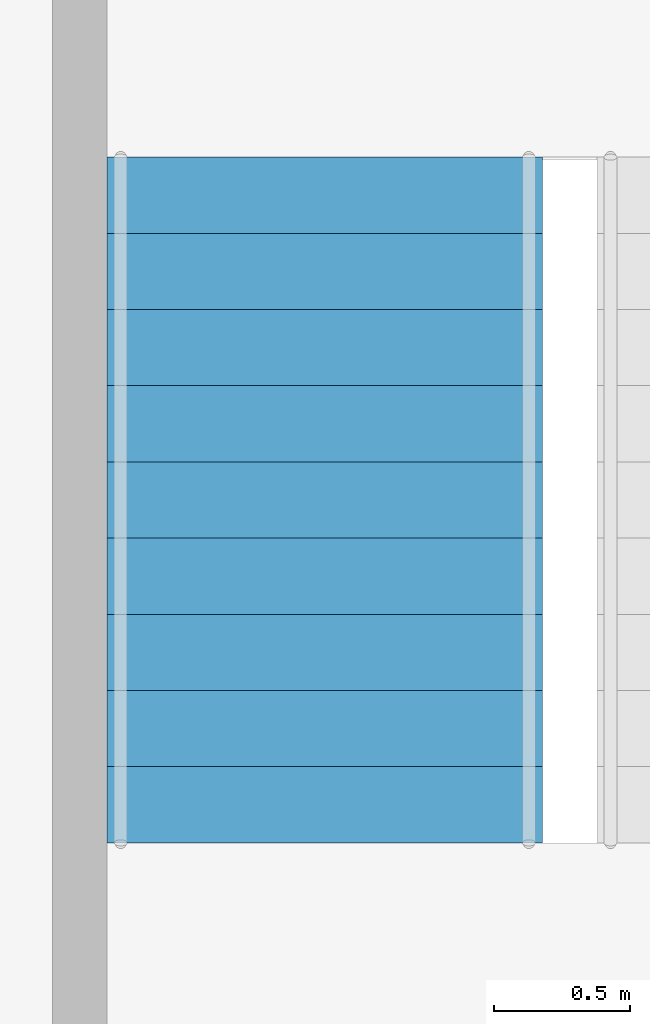
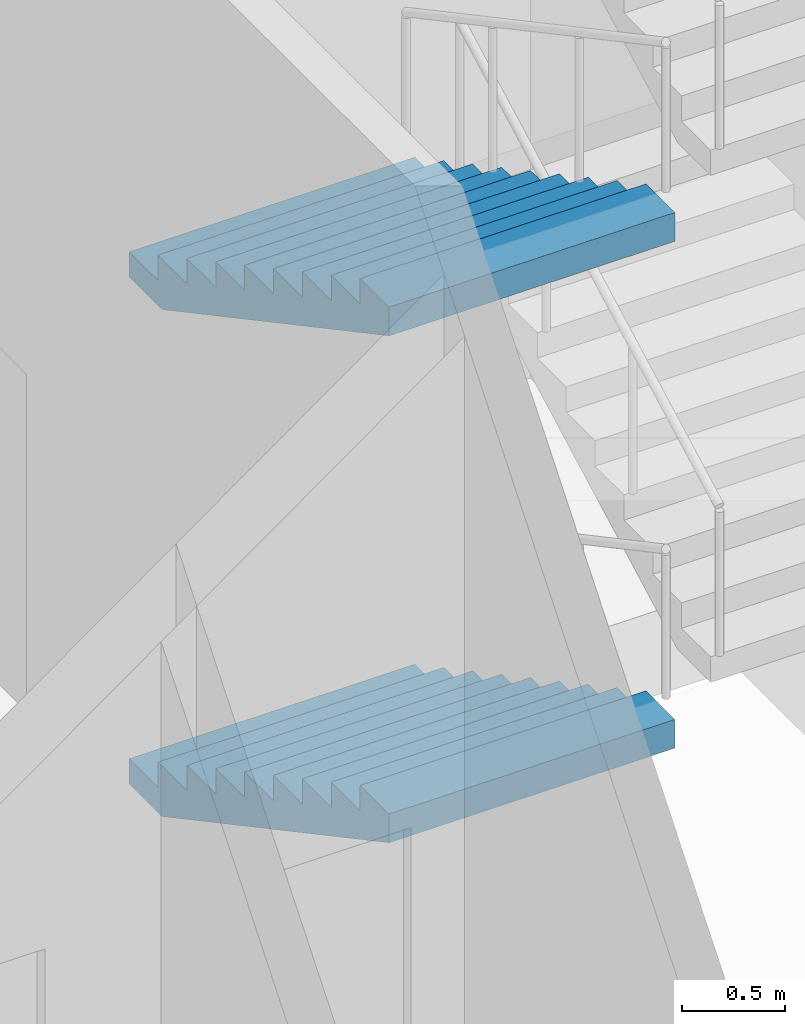
# One storey, part 76 of 100: 2 stair flights, 1 element without a shape of its own.
"""IFC4 building model written with IfcOpenShell, lengths in metres."""

import ifcopenshell
import ifcopenshell.guid

model = None  # the IFC model being written
_history = None  # IfcOwnerHistory: only IFC2X3 demands one
_inside = {}  # id of a spatial element -> (the spatial element, [elements in it])
_under = {}  # id of a project, library or spatial element -> (it, [spatial elements below it])
_declared = {}  # id of a project -> (the project, [libraries it declares])
_typed = {}  # id of a type object -> (the type object, [elements of that type])
_made_of = {}  # id of a material, layer set ... -> (it, [elements and type objects made of it])


def new_model(schema):
    """Start an empty IFC model of exactly this schema.

    Asked for "IFC4X3", IfcOpenShell would pick the latest addendum, in which some entities
    have other attributes; the version numbers below select the first issue.
    IFC2X3 requires an IfcOwnerHistory on every rooted entity: one is made here for all.
    """
    global model, _history
    if schema == "IFC4X3":
        model = ifcopenshell.file(schema_version=(4, 3, 0, 0))
    else:
        model = ifcopenshell.file(schema=schema)
    _inside.clear()
    _under.clear()
    _declared.clear()
    _typed.clear()
    _made_of.clear()
    _history = None
    if model.schema == "IFC2X3":
        org = make("IfcOrganization", Name="unknown")
        user = make(
            "IfcPersonAndOrganization",
            ThePerson=make("IfcPerson", FamilyName="unknown"),
            TheOrganization=org,
        )
        app = make(
            "IfcApplication",
            ApplicationDeveloper=org,
            Version="unknown",
            ApplicationFullName="unknown",
            ApplicationIdentifier="unknown",
        )
        _history = make(
            "IfcOwnerHistory",
            OwningUser=user,
            OwningApplication=app,
            ChangeAction="ADDED",
            CreationDate=0,
        )
    return model


def make(cls, **values):
    """One entity of the class cls with the attributes given. An attribute that is None is left unset."""
    return model.create_entity(
        cls, **{name: value for name, value in values.items() if value is not None}
    )


def rooted(cls, **values):
    """An entity with a GlobalId (a new one), such as an element, a storey or a relation."""
    return make(cls, GlobalId=ifcopenshell.guid.new(), OwnerHistory=_history, **values)


def si_unit(unit_type, name, prefix=None):
    """IfcSIUnit, for example si_unit("LENGTHUNIT", "METRE", prefix="MILLI")."""
    return make("IfcSIUnit", UnitType=unit_type, Prefix=prefix, Name=name)


def assignment(units):
    """IfcUnitAssignment: the units of a project."""
    return None if units is None else make("IfcUnitAssignment", Units=units)


def point(xyz):
    """IfcCartesianPoint."""
    return None if xyz is None else make("IfcCartesianPoint", Coordinates=xyz)


def direction(xyz):
    """IfcDirection."""
    return None if xyz is None else make("IfcDirection", DirectionRatios=xyz)


def frame(location, z_axis=None, x_axis=None):
    """IfcAxis2Placement3D, a coordinate frame: its origin and axes. An axis left out is left unset."""
    return make(
        "IfcAxis2Placement3D",
        Location=point(location),
        Axis=direction(z_axis),
        RefDirection=direction(x_axis),
    )


def origin():
    """The frame at (0, 0, 0) with its axes left unset."""
    return frame((0.0, 0.0, 0.0))


def place(relative_to, where):
    """IfcLocalPlacement: puts the frame where relative to a parent placement (None: the world)."""
    return make(
        "IfcLocalPlacement", PlacementRelTo=relative_to, RelativePlacement=where
    )


def context(
    kind, dimensions, precision=None, world=None, true_north=None, identifier=None
):
    """IfcGeometricRepresentationContext, for example the 3D "Model" context."""
    return make(
        "IfcGeometricRepresentationContext",
        ContextIdentifier=identifier,
        ContextType=kind,
        CoordinateSpaceDimension=dimensions,
        Precision=precision,
        WorldCoordinateSystem=world,
        TrueNorth=true_north,
    )


def subcontext(parent, identifier, kind, view, scale=None):
    """IfcGeometricRepresentationSubContext, for example "Body" below "Model"."""
    return make(
        "IfcGeometricRepresentationSubContext",
        ContextIdentifier=identifier,
        ContextType=kind,
        ParentContext=parent,
        TargetScale=scale,
        TargetView=view,
    )


def project(units=None, contexts=None):
    """IfcProject with its units and contexts."""
    return rooted(
        "IfcProject",
        Name="project",
        RepresentationContexts=contexts,
        UnitsInContext=assignment(units),
    )


def spatial(cls, under=None, at=None, **own):
    """A site, building, storey or space (cls), placed at a placement, below another one or the project."""
    s = rooted(cls, ObjectPlacement=at, **own)
    if under is not None:
        _under.setdefault(under.id(), (under, []))[1].append(s)
    return s


def point_list(points):
    """IfcCartesianPointList2D or 3D."""
    cls = (
        "IfcCartesianPointList2D" if len(points[0]) == 2 else "IfcCartesianPointList3D"
    )
    return make(cls, CoordList=points)


def triangles(points, corners, closed=None, point_numbers=None):
    """IfcTriangulatedFaceSet: each triangle names its three corners, points numbered from 1."""
    return make(
        "IfcTriangulatedFaceSet",
        Coordinates=point_list(points),
        Closed=closed,
        CoordIndex=corners,
        PnIndex=point_numbers,
    )


def shape(context_of_items, identifier, shape_type, items):
    """IfcShapeRepresentation: the items that make up one representation, for example the "Body"."""
    return make(
        "IfcShapeRepresentation",
        ContextOfItems=context_of_items,
        RepresentationIdentifier=identifier,
        RepresentationType=shape_type,
        Items=items,
    )


def material(Name=None, Category=None):
    """IfcMaterial."""
    return make("IfcMaterial", Name=Name, Category=Category)


def made_of(thing, what):
    """Note that an element or type object is made of a material, layer set ...; save() writes the relation."""
    if what is not None:
        _made_of.setdefault(what.id(), (what, []))[1].append(thing)
    return thing


def type_object(cls, material=None, **own):
    """A type object (cls), such as IfcWallType, which elements share."""
    return made_of(rooted(cls, **own), material)


def element(
    cls,
    number,
    at=None,
    inside=None,
    cuts=None,
    type_object=None,
    material=None,
    context=None,
    identifier="Body",
    shape_type=None,
    held_by="IfcProductDefinitionShape",
    body=None,
    shapes=None,
    **own,
):
    """One element of the class cls, such as IfcWall. Its Tag is "e" and its number.

    at: its placement. inside: the storey or other place that contains it. cuts: it is an
    opening in that element (IfcRelVoidsElement). A single representation is given by context,
    identifier, shape_type and body (its items); several are given by shapes. held_by: the class
    of the entity that holds the representations. save() writes the other relations.
    """
    e = rooted(cls, Tag="e%d" % number, ObjectPlacement=at, **own)
    if body is not None:
        shapes = [shape(context, identifier, shape_type, body)]
    if shapes is not None:
        e.Representation = make(held_by, Representations=shapes)
    if inside is not None:
        _inside.setdefault(inside.id(), (inside, []))[1].append(e)
    if cuts is not None:
        rooted(
            "IfcRelVoidsElement", RelatingBuildingElement=cuts, RelatedOpeningElement=e
        )
    if type_object is not None:
        _typed.setdefault(type_object.id(), (type_object, []))[1].append(e)
    return made_of(e, material)


def aggregate(whole, parts):
    """IfcRelAggregates: a whole, such as a stair, and the parts it consists of."""
    return rooted("IfcRelAggregates", RelatingObject=whole, RelatedObjects=parts)


def save(model, path):
    """Write the relations noted so far, then the file.

    IfcRelAggregates (storeys below a building ...), IfcRelContainedInSpatialStructure (elements
    in a storey), IfcRelDefinesByType, IfcRelAssociatesMaterial and IfcRelDeclares: one each for
    every whole, place, type object, material and project.
    """
    for whole, parts in _under.values():
        aggregate(whole, parts)
    for where, things in _inside.values():
        rooted(
            "IfcRelContainedInSpatialStructure",
            RelatedElements=things,
            RelatingStructure=where,
        )
    for kind, things in _typed.values():
        rooted("IfcRelDefinesByType", RelatedObjects=things, RelatingType=kind)
    for what, things in _made_of.values():
        rooted("IfcRelAssociatesMaterial", RelatedObjects=things, RelatingMaterial=what)
    for by, libraries in _declared.values():
        rooted("IfcRelDeclares", RelatingContext=by, RelatedDefinitions=libraries)
    model.write(path)


model = new_model("IFC4")

# Units and contexts
model_context = context("Model", 3, precision=1e-05, world=origin(), true_north=direction((0.0, 1.0)))
body_context = subcontext(model_context, "Body", "Model", "MODEL_VIEW")
ifc_project = project(units=[si_unit("LENGTHUNIT", "METRE"), si_unit("AREAUNIT", "SQUARE_METRE"), si_unit("VOLUMEUNIT", "CUBIC_METRE"), si_unit("PLANEANGLEUNIT", "RADIAN"), si_unit("MASSUNIT", "GRAM", prefix="KILO")], contexts=[model_context])

# Site, building, storey
site_placement = place(None, origin())
site = spatial("IfcSite", under=ifc_project, at=site_placement, CompositionType="ELEMENT")
building_placement = place(site_placement, origin())
building = spatial("IfcBuilding", under=site, at=building_placement, Name="Hakoniwa Tower and Hamabe Station Hall", CompositionType="ELEMENT")
storey_placement = place(building_placement, frame((0.0, 0.0, 9.0)))
storey = spatial("IfcBuildingStorey", under=building, at=storey_placement, Name="L02", CompositionType="ELEMENT", Elevation=9.0)

# Stair, stair flights
ifc_material_1 = material(Name="Concrete C40", Category="concrete")
stair_type = type_object("IfcStairType", Name="STAIR 1600 10X150", PredefinedType="HALF_TURN_STAIR", material=ifc_material_1)
stair_placement = place(storey_placement, origin())
stair = element("IfcStair", 1, at=stair_placement, inside=storey, type_object=stair_type, Name="Escape stair SS4 L02", PredefinedType="HALF_TURN_STAIR")
ifc_material_2 = material(Name="Concrete C40", Category="concrete")
stair_flight_type = type_object("IfcStairFlightType", Name="STAIR FLIGHT 1600", PredefinedType="STRAIGHT", material=ifc_material_2)
stair_flight_1_placement = place(storey_placement, frame((165.85009765625, -16.89990234375, 0.0), z_axis=(0.0, 0.0, 1.0), x_axis=(0.0, -1.0, 0.0)))
stair_flight_1 = element("IfcStairFlight", 2, at=stair_flight_1_placement, type_object=stair_flight_type, Name="SS4 flight 1", NumberOfRisers=10, NumberOfTreads=9, PredefinedType="STRAIGHT", RiserHeight=0.15, TreadLength=0.28, context=body_context, shape_type="Tessellation", body=[
    triangles([(0.0, 0.800048828125, 0.0), (0.280029296875, 0.800048828125, 0.0), (0.3173828125, 0.800048828125, 0.0), (0.56005859375, 0.800048828125, 0.1298828125), (0.840087890625, 0.800048828125, 0.280029296875), (1.1201171875, 0.800048828125, 0.429931640625), (1.39990234375, 0.800048828125, 0.579833984375), (1.679931640625, 0.800048828125, 0.72998046875), (1.9599609375, 0.800048828125, 0.8798828125), (2.239990234375, 0.800048828125, 1.030029296875), (2.52001953125, 0.800048828125, 1.179931640625), (2.52001953125, 0.800048828125, 1.35009765625), (2.239990234375, 0.800048828125, 1.35009765625), (2.239990234375, 0.800048828125, 1.199951171875), (1.9599609375, 0.800048828125, 1.199951171875), (1.9599609375, 0.800048828125, 1.050048828125), (1.679931640625, 0.800048828125, 1.050048828125), (1.679931640625, 0.800048828125, 0.89990234375), (1.39990234375, 0.800048828125, 0.89990234375), (1.39990234375, 0.800048828125, 0.75), (1.1201171875, 0.800048828125, 0.75), (1.1201171875, 0.800048828125, 0.60009765625), (0.840087890625, 0.800048828125, 0.60009765625), (0.840087890625, 0.800048828125, 0.449951171875), (0.56005859375, 0.800048828125, 0.449951171875), (0.56005859375, 0.800048828125, 0.300048828125), (0.3173828125, 0.800048828125, 0.300048828125), (0.280029296875, 0.800048828125, 0.300048828125), (0.280029296875, 0.800048828125, 0.14990234375), (0.0, 0.800048828125, 0.14990234375), (0.0, 0.06005859375, 0.0), (0.280029296875, 0.06005859375, 0.0), (0.3173828125, 0.06005859375, 0.0), (0.56005859375, 0.06005859375, 0.1298828125), (0.840087890625, 0.06005859375, 0.280029296875), (1.1201171875, 0.06005859375, 0.429931640625), (1.39990234375, 0.06005859375, 0.579833984375), (1.679931640625, 0.06005859375, 0.72998046875), (1.9599609375, 0.06005859375, 0.8798828125), (2.239990234375, 0.06005859375, 1.030029296875), (2.52001953125, 0.06005859375, 1.179931640625), (2.52001953125, 0.06005859375, 1.35009765625), (2.239990234375, 0.06005859375, 1.35009765625), (2.239990234375, 0.06005859375, 1.199951171875), (1.9599609375, 0.06005859375, 1.199951171875), (1.9599609375, 0.06005859375, 1.050048828125), (1.679931640625, 0.06005859375, 1.050048828125), (1.679931640625, 0.06005859375, 0.89990234375), (1.39990234375, 0.06005859375, 0.89990234375), (1.39990234375, 0.06005859375, 0.75), (1.1201171875, 0.06005859375, 0.75), (1.1201171875, 0.06005859375, 0.60009765625), (0.840087890625, 0.06005859375, 0.60009765625), (0.840087890625, 0.06005859375, 0.449951171875), (0.56005859375, 0.06005859375, 0.449951171875), (0.56005859375, 0.06005859375, 0.300048828125), (0.3173828125, 0.06005859375, 0.300048828125), (0.280029296875, 0.06005859375, 0.300048828125), (0.280029296875, 0.06005859375, 0.14990234375), (0.0, 0.06005859375, 0.14990234375), (0.0, 0.02001953125, 0.0), (0.280029296875, 0.02001953125, 0.0), (0.3173828125, 0.02001953125, 0.0), (0.56005859375, 0.02001953125, 0.1298828125), (0.840087890625, 0.02001953125, 0.280029296875), (1.1201171875, 0.02001953125, 0.429931640625), (1.39990234375, 0.02001953125, 0.579833984375), (1.679931640625, 0.02001953125, 0.72998046875), (1.9599609375, 0.02001953125, 0.8798828125), (2.239990234375, 0.02001953125, 1.030029296875), (2.52001953125, 0.02001953125, 1.179931640625), (2.52001953125, 0.02001953125, 1.35009765625), (2.239990234375, 0.02001953125, 1.35009765625), (2.239990234375, 0.02001953125, 1.199951171875), (1.9599609375, 0.02001953125, 1.199951171875), (1.9599609375, 0.02001953125, 1.050048828125), (1.679931640625, 0.02001953125, 1.050048828125), (1.679931640625, 0.02001953125, 0.89990234375), (1.39990234375, 0.02001953125, 0.89990234375), (1.39990234375, 0.02001953125, 0.75), (1.1201171875, 0.02001953125, 0.75), (1.1201171875, 0.02001953125, 0.60009765625), (0.840087890625, 0.02001953125, 0.60009765625), (0.840087890625, 0.02001953125, 0.449951171875), (0.56005859375, 0.02001953125, 0.449951171875), (0.56005859375, 0.02001953125, 0.300048828125), (0.3173828125, 0.02001953125, 0.300048828125), (0.280029296875, 0.02001953125, 0.300048828125), (0.280029296875, 0.02001953125, 0.14990234375), (0.0, 0.02001953125, 0.14990234375), (0.0, -0.02001953125, 0.0), (0.280029296875, -0.02001953125, 0.0), (0.3173828125, -0.02001953125, 0.0), (0.56005859375, -0.02001953125, 0.1298828125), (0.840087890625, -0.02001953125, 0.280029296875), (1.1201171875, -0.02001953125, 0.429931640625), (1.39990234375, -0.02001953125, 0.579833984375), (1.679931640625, -0.02001953125, 0.72998046875), (1.9599609375, -0.02001953125, 0.8798828125), (2.239990234375, -0.02001953125, 1.030029296875), (2.52001953125, -0.02001953125, 1.179931640625), (2.52001953125, -0.02001953125, 1.35009765625), (2.239990234375, -0.02001953125, 1.35009765625), (2.239990234375, -0.02001953125, 1.199951171875), (1.9599609375, -0.02001953125, 1.199951171875), (1.9599609375, -0.02001953125, 1.050048828125), (1.679931640625, -0.02001953125, 1.050048828125), (1.679931640625, -0.02001953125, 0.89990234375), (1.39990234375, -0.02001953125, 0.89990234375), (1.39990234375, -0.02001953125, 0.75), (1.1201171875, -0.02001953125, 0.75), (1.1201171875, -0.02001953125, 0.60009765625), (0.840087890625, -0.02001953125, 0.60009765625), (0.840087890625, -0.02001953125, 0.449951171875), (0.56005859375, -0.02001953125, 0.449951171875), (0.56005859375, -0.02001953125, 0.300048828125), (0.3173828125, -0.02001953125, 0.300048828125), (0.280029296875, -0.02001953125, 0.300048828125), (0.280029296875, -0.02001953125, 0.14990234375), (0.0, -0.02001953125, 0.14990234375), (0.0, -0.06005859375, 0.0), (0.280029296875, -0.06005859375, 0.0), (0.3173828125, -0.06005859375, 0.0), (0.56005859375, -0.06005859375, 0.1298828125), (0.840087890625, -0.06005859375, 0.280029296875), (1.1201171875, -0.06005859375, 0.429931640625), (1.39990234375, -0.06005859375, 0.579833984375), (1.679931640625, -0.06005859375, 0.72998046875), (1.9599609375, -0.06005859375, 0.8798828125), (2.239990234375, -0.06005859375, 1.030029296875), (2.52001953125, -0.06005859375, 1.179931640625), (2.52001953125, -0.06005859375, 1.35009765625), (2.239990234375, -0.06005859375, 1.35009765625), (2.239990234375, -0.06005859375, 1.199951171875), (1.9599609375, -0.06005859375, 1.199951171875), (1.9599609375, -0.06005859375, 1.050048828125), (1.679931640625, -0.06005859375, 1.050048828125), (1.679931640625, -0.06005859375, 0.89990234375), (1.39990234375, -0.06005859375, 0.89990234375), (1.39990234375, -0.06005859375, 0.75), (1.1201171875, -0.06005859375, 0.75), (1.1201171875, -0.06005859375, 0.60009765625), (0.840087890625, -0.06005859375, 0.60009765625), (0.840087890625, -0.06005859375, 0.449951171875), (0.56005859375, -0.06005859375, 0.449951171875), (0.56005859375, -0.06005859375, 0.300048828125), (0.3173828125, -0.06005859375, 0.300048828125), (0.280029296875, -0.06005859375, 0.300048828125), (0.280029296875, -0.06005859375, 0.14990234375), (0.0, -0.06005859375, 0.14990234375), (0.0, -0.800048828125, 0.0), (0.280029296875, -0.800048828125, 0.0), (0.3173828125, -0.800048828125, 0.0), (0.56005859375, -0.800048828125, 0.1298828125), (0.840087890625, -0.800048828125, 0.280029296875), (1.1201171875, -0.800048828125, 0.429931640625), (1.39990234375, -0.800048828125, 0.579833984375), (1.679931640625, -0.800048828125, 0.72998046875), (1.9599609375, -0.800048828125, 0.8798828125), (2.239990234375, -0.800048828125, 1.030029296875), (2.52001953125, -0.800048828125, 1.179931640625), (2.52001953125, -0.800048828125, 1.35009765625), (2.239990234375, -0.800048828125, 1.35009765625), (2.239990234375, -0.800048828125, 1.199951171875), (1.9599609375, -0.800048828125, 1.199951171875), (1.9599609375, -0.800048828125, 1.050048828125), (1.679931640625, -0.800048828125, 1.050048828125), (1.679931640625, -0.800048828125, 0.89990234375), (1.39990234375, -0.800048828125, 0.89990234375), (1.39990234375, -0.800048828125, 0.75), (1.1201171875, -0.800048828125, 0.75), (1.1201171875, -0.800048828125, 0.60009765625), (0.840087890625, -0.800048828125, 0.60009765625), (0.840087890625, -0.800048828125, 0.449951171875), (0.56005859375, -0.800048828125, 0.449951171875), (0.56005859375, -0.800048828125, 0.300048828125), (0.3173828125, -0.800048828125, 0.300048828125), (0.280029296875, -0.800048828125, 0.300048828125), (0.280029296875, -0.800048828125, 0.14990234375), (0.0, -0.800048828125, 0.14990234375)], [[2, 30, 29], [152, 179, 180], [2, 1, 30], [152, 180, 151], [3, 28, 27], [153, 177, 178], [3, 29, 28], [153, 178, 179], [3, 2, 29], [153, 179, 152], [4, 27, 26], [154, 176, 177], [4, 3, 27], [154, 177, 153], [5, 25, 24], [155, 174, 175], [5, 26, 25], [155, 175, 176], [5, 4, 26], [155, 176, 154], [6, 23, 22], [156, 172, 173], [6, 24, 23], [156, 173, 174], [6, 5, 24], [156, 174, 155], [7, 21, 20], [157, 170, 171], [7, 22, 21], [157, 171, 172], [7, 6, 22], [157, 172, 156], [8, 19, 18], [158, 168, 169], [8, 20, 19], [158, 169, 170], [8, 7, 20], [158, 170, 157], [9, 17, 16], [159, 166, 167], [9, 18, 17], [159, 167, 168], [9, 8, 18], [159, 168, 158], [10, 15, 14], [160, 164, 165], [10, 16, 15], [160, 165, 166], [10, 9, 16], [160, 166, 159], [11, 13, 12], [161, 162, 163], [11, 14, 13], [161, 163, 164], [11, 10, 14], [161, 164, 160], [1, 2, 32], [1, 32, 31], [31, 32, 62], [31, 62, 61], [61, 62, 92], [61, 92, 91], [91, 92, 122], [91, 122, 121], [121, 122, 152], [121, 152, 151], [2, 3, 33], [2, 33, 32], [32, 33, 63], [32, 63, 62], [62, 63, 93], [62, 93, 92], [92, 93, 123], [92, 123, 122], [122, 123, 153], [122, 153, 152], [3, 4, 34], [3, 34, 33], [33, 34, 64], [33, 64, 63], [63, 64, 94], [63, 94, 93], [93, 94, 124], [93, 124, 123], [123, 124, 154], [123, 154, 153], [4, 5, 35], [4, 35, 34], [34, 35, 65], [34, 65, 64], [64, 65, 95], [64, 95, 94], [94, 95, 125], [94, 125, 124], [124, 125, 155], [124, 155, 154], [5, 6, 36], [5, 36, 35], [35, 36, 66], [35, 66, 65], [65, 66, 96], [65, 96, 95], [95, 96, 126], [95, 126, 125], [125, 126, 156], [125, 156, 155], [6, 7, 37], [6, 37, 36], [36, 37, 67], [36, 67, 66], [66, 67, 97], [66, 97, 96], [96, 97, 127], [96, 127, 126], [126, 127, 157], [126, 157, 156], [7, 8, 38], [7, 38, 37], [37, 38, 68], [37, 68, 67], [67, 68, 98], [67, 98, 97], [97, 98, 128], [97, 128, 127], [127, 128, 158], [127, 158, 157], [8, 9, 39], [8, 39, 38], [38, 39, 69], [38, 69, 68], [68, 69, 99], [68, 99, 98], [98, 99, 129], [98, 129, 128], [128, 129, 159], [128, 159, 158], [9, 10, 40], [9, 40, 39], [39, 40, 70], [39, 70, 69], [69, 70, 100], [69, 100, 99], [99, 100, 130], [99, 130, 129], [129, 130, 160], [129, 160, 159], [10, 11, 41], [10, 41, 40], [40, 41, 71], [40, 71, 70], [70, 71, 101], [70, 101, 100], [100, 101, 131], [100, 131, 130], [130, 131, 161], [130, 161, 160], [11, 12, 42], [11, 42, 41], [41, 42, 72], [41, 72, 71], [71, 72, 102], [71, 102, 101], [101, 102, 132], [101, 132, 131], [131, 132, 162], [131, 162, 161], [12, 13, 43], [12, 43, 42], [42, 43, 73], [42, 73, 72], [72, 73, 103], [72, 103, 102], [102, 103, 133], [102, 133, 132], [132, 133, 163], [132, 163, 162], [13, 14, 44], [13, 44, 43], [43, 44, 74], [43, 74, 73], [73, 74, 104], [73, 104, 103], [103, 104, 134], [103, 134, 133], [133, 134, 164], [133, 164, 163], [14, 15, 45], [14, 45, 44], [44, 45, 75], [44, 75, 74], [74, 75, 105], [74, 105, 104], [104, 105, 135], [104, 135, 134], [134, 135, 165], [134, 165, 164], [15, 16, 46], [15, 46, 45], [45, 46, 76], [45, 76, 75], [75, 76, 106], [75, 106, 105], [105, 106, 136], [105, 136, 135], [135, 136, 166], [135, 166, 165], [16, 17, 47], [16, 47, 46], [46, 47, 77], [46, 77, 76], [76, 77, 107], [76, 107, 106], [106, 107, 137], [106, 137, 136], [136, 137, 167], [136, 167, 166], [17, 18, 48], [17, 48, 47], [47, 48, 78], [47, 78, 77], [77, 78, 108], [77, 108, 107], [107, 108, 138], [107, 138, 137], [137, 138, 168], [137, 168, 167], [18, 19, 49], [18, 49, 48], [48, 49, 79], [48, 79, 78], [78, 79, 109], [78, 109, 108], [108, 109, 139], [108, 139, 138], [138, 139, 169], [138, 169, 168], [19, 20, 50], [19, 50, 49], [49, 50, 80], [49, 80, 79], [79, 80, 110], [79, 110, 109], [109, 110, 140], [109, 140, 139], [139, 140, 170], [139, 170, 169], [20, 21, 51], [20, 51, 50], [50, 51, 81], [50, 81, 80], [80, 81, 111], [80, 111, 110], [110, 111, 141], [110, 141, 140], [140, 141, 171], [140, 171, 170], [21, 22, 52], [21, 52, 51], [51, 52, 82], [51, 82, 81], [81, 82, 112], [81, 112, 111], [111, 112, 142], [111, 142, 141], [141, 142, 172], [141, 172, 171], [22, 23, 53], [22, 53, 52], [52, 53, 83], [52, 83, 82], [82, 83, 113], [82, 113, 112], [112, 113, 143], [112, 143, 142], [142, 143, 173], [142, 173, 172], [23, 24, 54], [23, 54, 53], [53, 54, 84], [53, 84, 83], [83, 84, 114], [83, 114, 113], [113, 114, 144], [113, 144, 143], [143, 144, 174], [143, 174, 173], [24, 25, 55], [24, 55, 54], [54, 55, 85], [54, 85, 84], [84, 85, 115], [84, 115, 114], [114, 115, 145], [114, 145, 144], [144, 145, 175], [144, 175, 174], [25, 26, 56], [25, 56, 55], [55, 56, 86], [55, 86, 85], [85, 86, 116], [85, 116, 115], [115, 116, 146], [115, 146, 145], [145, 146, 176], [145, 176, 175], [26, 27, 57], [26, 57, 56], [56, 57, 87], [56, 87, 86], [86, 87, 117], [86, 117, 116], [116, 117, 147], [116, 147, 146], [146, 147, 177], [146, 177, 176], [27, 28, 58], [27, 58, 57], [57, 58, 88], [57, 88, 87], [87, 88, 118], [87, 118, 117], [117, 118, 148], [117, 148, 147], [147, 148, 178], [147, 178, 177], [28, 29, 59], [28, 59, 58], [58, 59, 89], [58, 89, 88], [88, 89, 119], [88, 119, 118], [118, 119, 149], [118, 149, 148], [148, 149, 179], [148, 179, 178], [29, 30, 60], [29, 60, 59], [59, 60, 90], [59, 90, 89], [89, 90, 120], [89, 120, 119], [119, 120, 150], [119, 150, 149], [149, 150, 180], [149, 180, 179], [30, 1, 31], [30, 31, 60], [60, 31, 61], [60, 61, 90], [90, 61, 91], [90, 91, 120], [120, 91, 121], [120, 121, 150], [150, 121, 151], [150, 151, 180]], closed=True),
])
stair_flight_2_placement = place(storey_placement, frame((165.85009765625, -16.89990234375, 3.0), z_axis=(0.0, 0.0, 1.0), x_axis=(0.0, -1.0, 0.0)))
stair_flight_2 = element("IfcStairFlight", 3, at=stair_flight_2_placement, type_object=stair_flight_type, Name="SS4 flight 3", NumberOfRisers=10, NumberOfTreads=9, PredefinedType="STRAIGHT", RiserHeight=0.15, TreadLength=0.28, context=body_context, shape_type="Tessellation", body=[
    triangles([(0.0, 0.800048828125, 0.0), (0.280029296875, 0.800048828125, 0.0), (0.3173828125, 0.800048828125, 0.0), (0.56005859375, 0.800048828125, 0.1298828125), (0.840087890625, 0.800048828125, 0.280029296875), (1.1201171875, 0.800048828125, 0.429931640625), (1.39990234375, 0.800048828125, 0.579833984375), (1.679931640625, 0.800048828125, 0.72998046875), (1.9599609375, 0.800048828125, 0.8798828125), (2.239990234375, 0.800048828125, 1.030029296875), (2.52001953125, 0.800048828125, 1.179931640625), (2.52001953125, 0.800048828125, 1.35009765625), (2.239990234375, 0.800048828125, 1.35009765625), (2.239990234375, 0.800048828125, 1.199951171875), (1.9599609375, 0.800048828125, 1.199951171875), (1.9599609375, 0.800048828125, 1.050048828125), (1.679931640625, 0.800048828125, 1.050048828125), (1.679931640625, 0.800048828125, 0.89990234375), (1.39990234375, 0.800048828125, 0.89990234375), (1.39990234375, 0.800048828125, 0.75), (1.1201171875, 0.800048828125, 0.75), (1.1201171875, 0.800048828125, 0.60009765625), (0.840087890625, 0.800048828125, 0.60009765625), (0.840087890625, 0.800048828125, 0.449951171875), (0.56005859375, 0.800048828125, 0.449951171875), (0.56005859375, 0.800048828125, 0.300048828125), (0.3173828125, 0.800048828125, 0.300048828125), (0.280029296875, 0.800048828125, 0.300048828125), (0.280029296875, 0.800048828125, 0.14990234375), (0.0, 0.800048828125, 0.14990234375), (0.0, 0.06005859375, 0.0), (0.280029296875, 0.06005859375, 0.0), (0.3173828125, 0.06005859375, 0.0), (0.56005859375, 0.06005859375, 0.1298828125), (0.840087890625, 0.06005859375, 0.280029296875), (1.1201171875, 0.06005859375, 0.429931640625), (1.39990234375, 0.06005859375, 0.579833984375), (1.679931640625, 0.06005859375, 0.72998046875), (1.9599609375, 0.06005859375, 0.8798828125), (2.239990234375, 0.06005859375, 1.030029296875), (2.52001953125, 0.06005859375, 1.179931640625), (2.52001953125, 0.06005859375, 1.35009765625), (2.239990234375, 0.06005859375, 1.35009765625), (2.239990234375, 0.06005859375, 1.199951171875), (1.9599609375, 0.06005859375, 1.199951171875), (1.9599609375, 0.06005859375, 1.050048828125), (1.679931640625, 0.06005859375, 1.050048828125), (1.679931640625, 0.06005859375, 0.89990234375), (1.39990234375, 0.06005859375, 0.89990234375), (1.39990234375, 0.06005859375, 0.75), (1.1201171875, 0.06005859375, 0.75), (1.1201171875, 0.06005859375, 0.60009765625), (0.840087890625, 0.06005859375, 0.60009765625), (0.840087890625, 0.06005859375, 0.449951171875), (0.56005859375, 0.06005859375, 0.449951171875), (0.56005859375, 0.06005859375, 0.300048828125), (0.3173828125, 0.06005859375, 0.300048828125), (0.280029296875, 0.06005859375, 0.300048828125), (0.280029296875, 0.06005859375, 0.14990234375), (0.0, 0.06005859375, 0.14990234375), (0.0, 0.02001953125, 0.0), (0.280029296875, 0.02001953125, 0.0), (0.3173828125, 0.02001953125, 0.0), (0.56005859375, 0.02001953125, 0.1298828125), (0.840087890625, 0.02001953125, 0.280029296875), (1.1201171875, 0.02001953125, 0.429931640625), (1.39990234375, 0.02001953125, 0.579833984375), (1.679931640625, 0.02001953125, 0.72998046875), (1.9599609375, 0.02001953125, 0.8798828125), (2.239990234375, 0.02001953125, 1.030029296875), (2.52001953125, 0.02001953125, 1.179931640625), (2.52001953125, 0.02001953125, 1.35009765625), (2.239990234375, 0.02001953125, 1.35009765625), (2.239990234375, 0.02001953125, 1.199951171875), (1.9599609375, 0.02001953125, 1.199951171875), (1.9599609375, 0.02001953125, 1.050048828125), (1.679931640625, 0.02001953125, 1.050048828125), (1.679931640625, 0.02001953125, 0.89990234375), (1.39990234375, 0.02001953125, 0.89990234375), (1.39990234375, 0.02001953125, 0.75), (1.1201171875, 0.02001953125, 0.75), (1.1201171875, 0.02001953125, 0.60009765625), (0.840087890625, 0.02001953125, 0.60009765625), (0.840087890625, 0.02001953125, 0.449951171875), (0.56005859375, 0.02001953125, 0.449951171875), (0.56005859375, 0.02001953125, 0.300048828125), (0.3173828125, 0.02001953125, 0.300048828125), (0.280029296875, 0.02001953125, 0.300048828125), (0.280029296875, 0.02001953125, 0.14990234375), (0.0, 0.02001953125, 0.14990234375), (0.0, -0.02001953125, 0.0), (0.280029296875, -0.02001953125, 0.0), (0.3173828125, -0.02001953125, 0.0), (0.56005859375, -0.02001953125, 0.1298828125), (0.840087890625, -0.02001953125, 0.280029296875), (1.1201171875, -0.02001953125, 0.429931640625), (1.39990234375, -0.02001953125, 0.579833984375), (1.679931640625, -0.02001953125, 0.72998046875), (1.9599609375, -0.02001953125, 0.8798828125), (2.239990234375, -0.02001953125, 1.030029296875), (2.52001953125, -0.02001953125, 1.179931640625), (2.52001953125, -0.02001953125, 1.35009765625), (2.239990234375, -0.02001953125, 1.35009765625), (2.239990234375, -0.02001953125, 1.199951171875), (1.9599609375, -0.02001953125, 1.199951171875), (1.9599609375, -0.02001953125, 1.050048828125), (1.679931640625, -0.02001953125, 1.050048828125), (1.679931640625, -0.02001953125, 0.89990234375), (1.39990234375, -0.02001953125, 0.89990234375), (1.39990234375, -0.02001953125, 0.75), (1.1201171875, -0.02001953125, 0.75), (1.1201171875, -0.02001953125, 0.60009765625), (0.840087890625, -0.02001953125, 0.60009765625), (0.840087890625, -0.02001953125, 0.449951171875), (0.56005859375, -0.02001953125, 0.449951171875), (0.56005859375, -0.02001953125, 0.300048828125), (0.3173828125, -0.02001953125, 0.300048828125), (0.280029296875, -0.02001953125, 0.300048828125), (0.280029296875, -0.02001953125, 0.14990234375), (0.0, -0.02001953125, 0.14990234375), (0.0, -0.06005859375, 0.0), (0.280029296875, -0.06005859375, 0.0), (0.3173828125, -0.06005859375, 0.0), (0.56005859375, -0.06005859375, 0.1298828125), (0.840087890625, -0.06005859375, 0.280029296875), (1.1201171875, -0.06005859375, 0.429931640625), (1.39990234375, -0.06005859375, 0.579833984375), (1.679931640625, -0.06005859375, 0.72998046875), (1.9599609375, -0.06005859375, 0.8798828125), (2.239990234375, -0.06005859375, 1.030029296875), (2.52001953125, -0.06005859375, 1.179931640625), (2.52001953125, -0.06005859375, 1.35009765625), (2.239990234375, -0.06005859375, 1.35009765625), (2.239990234375, -0.06005859375, 1.199951171875), (1.9599609375, -0.06005859375, 1.199951171875), (1.9599609375, -0.06005859375, 1.050048828125), (1.679931640625, -0.06005859375, 1.050048828125), (1.679931640625, -0.06005859375, 0.89990234375), (1.39990234375, -0.06005859375, 0.89990234375), (1.39990234375, -0.06005859375, 0.75), (1.1201171875, -0.06005859375, 0.75), (1.1201171875, -0.06005859375, 0.60009765625), (0.840087890625, -0.06005859375, 0.60009765625), (0.840087890625, -0.06005859375, 0.449951171875), (0.56005859375, -0.06005859375, 0.449951171875), (0.56005859375, -0.06005859375, 0.300048828125), (0.3173828125, -0.06005859375, 0.300048828125), (0.280029296875, -0.06005859375, 0.300048828125), (0.280029296875, -0.06005859375, 0.14990234375), (0.0, -0.06005859375, 0.14990234375), (0.0, -0.800048828125, 0.0), (0.280029296875, -0.800048828125, 0.0), (0.3173828125, -0.800048828125, 0.0), (0.56005859375, -0.800048828125, 0.1298828125), (0.840087890625, -0.800048828125, 0.280029296875), (1.1201171875, -0.800048828125, 0.429931640625), (1.39990234375, -0.800048828125, 0.579833984375), (1.679931640625, -0.800048828125, 0.72998046875), (1.9599609375, -0.800048828125, 0.8798828125), (2.239990234375, -0.800048828125, 1.030029296875), (2.52001953125, -0.800048828125, 1.179931640625), (2.52001953125, -0.800048828125, 1.35009765625), (2.239990234375, -0.800048828125, 1.35009765625), (2.239990234375, -0.800048828125, 1.199951171875), (1.9599609375, -0.800048828125, 1.199951171875), (1.9599609375, -0.800048828125, 1.050048828125), (1.679931640625, -0.800048828125, 1.050048828125), (1.679931640625, -0.800048828125, 0.89990234375), (1.39990234375, -0.800048828125, 0.89990234375), (1.39990234375, -0.800048828125, 0.75), (1.1201171875, -0.800048828125, 0.75), (1.1201171875, -0.800048828125, 0.60009765625), (0.840087890625, -0.800048828125, 0.60009765625), (0.840087890625, -0.800048828125, 0.449951171875), (0.56005859375, -0.800048828125, 0.449951171875), (0.56005859375, -0.800048828125, 0.300048828125), (0.3173828125, -0.800048828125, 0.300048828125), (0.280029296875, -0.800048828125, 0.300048828125), (0.280029296875, -0.800048828125, 0.14990234375), (0.0, -0.800048828125, 0.14990234375)], [[2, 30, 29], [152, 179, 180], [2, 1, 30], [152, 180, 151], [3, 28, 27], [153, 177, 178], [3, 29, 28], [153, 178, 179], [3, 2, 29], [153, 179, 152], [4, 27, 26], [154, 176, 177], [4, 3, 27], [154, 177, 153], [5, 25, 24], [155, 174, 175], [5, 26, 25], [155, 175, 176], [5, 4, 26], [155, 176, 154], [6, 23, 22], [156, 172, 173], [6, 24, 23], [156, 173, 174], [6, 5, 24], [156, 174, 155], [7, 21, 20], [157, 170, 171], [7, 22, 21], [157, 171, 172], [7, 6, 22], [157, 172, 156], [8, 19, 18], [158, 168, 169], [8, 20, 19], [158, 169, 170], [8, 7, 20], [158, 170, 157], [9, 17, 16], [159, 166, 167], [9, 18, 17], [159, 167, 168], [9, 8, 18], [159, 168, 158], [10, 15, 14], [160, 164, 165], [10, 16, 15], [160, 165, 166], [10, 9, 16], [160, 166, 159], [11, 13, 12], [161, 162, 163], [11, 14, 13], [161, 163, 164], [11, 10, 14], [161, 164, 160], [1, 2, 32], [1, 32, 31], [31, 32, 62], [31, 62, 61], [61, 62, 92], [61, 92, 91], [91, 92, 122], [91, 122, 121], [121, 122, 152], [121, 152, 151], [2, 3, 33], [2, 33, 32], [32, 33, 63], [32, 63, 62], [62, 63, 93], [62, 93, 92], [92, 93, 123], [92, 123, 122], [122, 123, 153], [122, 153, 152], [3, 4, 34], [3, 34, 33], [33, 34, 64], [33, 64, 63], [63, 64, 94], [63, 94, 93], [93, 94, 124], [93, 124, 123], [123, 124, 154], [123, 154, 153], [4, 5, 35], [4, 35, 34], [34, 35, 65], [34, 65, 64], [64, 65, 95], [64, 95, 94], [94, 95, 125], [94, 125, 124], [124, 125, 155], [124, 155, 154], [5, 6, 36], [5, 36, 35], [35, 36, 66], [35, 66, 65], [65, 66, 96], [65, 96, 95], [95, 96, 126], [95, 126, 125], [125, 126, 156], [125, 156, 155], [6, 7, 37], [6, 37, 36], [36, 37, 67], [36, 67, 66], [66, 67, 97], [66, 97, 96], [96, 97, 127], [96, 127, 126], [126, 127, 157], [126, 157, 156], [7, 8, 38], [7, 38, 37], [37, 38, 68], [37, 68, 67], [67, 68, 98], [67, 98, 97], [97, 98, 128], [97, 128, 127], [127, 128, 158], [127, 158, 157], [8, 9, 39], [8, 39, 38], [38, 39, 69], [38, 69, 68], [68, 69, 99], [68, 99, 98], [98, 99, 129], [98, 129, 128], [128, 129, 159], [128, 159, 158], [9, 10, 40], [9, 40, 39], [39, 40, 70], [39, 70, 69], [69, 70, 100], [69, 100, 99], [99, 100, 130], [99, 130, 129], [129, 130, 160], [129, 160, 159], [10, 11, 41], [10, 41, 40], [40, 41, 71], [40, 71, 70], [70, 71, 101], [70, 101, 100], [100, 101, 131], [100, 131, 130], [130, 131, 161], [130, 161, 160], [11, 12, 42], [11, 42, 41], [41, 42, 72], [41, 72, 71], [71, 72, 102], [71, 102, 101], [101, 102, 132], [101, 132, 131], [131, 132, 162], [131, 162, 161], [12, 13, 43], [12, 43, 42], [42, 43, 73], [42, 73, 72], [72, 73, 103], [72, 103, 102], [102, 103, 133], [102, 133, 132], [132, 133, 163], [132, 163, 162], [13, 14, 44], [13, 44, 43], [43, 44, 74], [43, 74, 73], [73, 74, 104], [73, 104, 103], [103, 104, 134], [103, 134, 133], [133, 134, 164], [133, 164, 163], [14, 15, 45], [14, 45, 44], [44, 45, 75], [44, 75, 74], [74, 75, 105], [74, 105, 104], [104, 105, 135], [104, 135, 134], [134, 135, 165], [134, 165, 164], [15, 16, 46], [15, 46, 45], [45, 46, 76], [45, 76, 75], [75, 76, 106], [75, 106, 105], [105, 106, 136], [105, 136, 135], [135, 136, 166], [135, 166, 165], [16, 17, 47], [16, 47, 46], [46, 47, 77], [46, 77, 76], [76, 77, 107], [76, 107, 106], [106, 107, 137], [106, 137, 136], [136, 137, 167], [136, 167, 166], [17, 18, 48], [17, 48, 47], [47, 48, 78], [47, 78, 77], [77, 78, 108], [77, 108, 107], [107, 108, 138], [107, 138, 137], [137, 138, 168], [137, 168, 167], [18, 19, 49], [18, 49, 48], [48, 49, 79], [48, 79, 78], [78, 79, 109], [78, 109, 108], [108, 109, 139], [108, 139, 138], [138, 139, 169], [138, 169, 168], [19, 20, 50], [19, 50, 49], [49, 50, 80], [49, 80, 79], [79, 80, 110], [79, 110, 109], [109, 110, 140], [109, 140, 139], [139, 140, 170], [139, 170, 169], [20, 21, 51], [20, 51, 50], [50, 51, 81], [50, 81, 80], [80, 81, 111], [80, 111, 110], [110, 111, 141], [110, 141, 140], [140, 141, 171], [140, 171, 170], [21, 22, 52], [21, 52, 51], [51, 52, 82], [51, 82, 81], [81, 82, 112], [81, 112, 111], [111, 112, 142], [111, 142, 141], [141, 142, 172], [141, 172, 171], [22, 23, 53], [22, 53, 52], [52, 53, 83], [52, 83, 82], [82, 83, 113], [82, 113, 112], [112, 113, 143], [112, 143, 142], [142, 143, 173], [142, 173, 172], [23, 24, 54], [23, 54, 53], [53, 54, 84], [53, 84, 83], [83, 84, 114], [83, 114, 113], [113, 114, 144], [113, 144, 143], [143, 144, 174], [143, 174, 173], [24, 25, 55], [24, 55, 54], [54, 55, 85], [54, 85, 84], [84, 85, 115], [84, 115, 114], [114, 115, 145], [114, 145, 144], [144, 145, 175], [144, 175, 174], [25, 26, 56], [25, 56, 55], [55, 56, 86], [55, 86, 85], [85, 86, 116], [85, 116, 115], [115, 116, 146], [115, 146, 145], [145, 146, 176], [145, 176, 175], [26, 27, 57], [26, 57, 56], [56, 57, 87], [56, 87, 86], [86, 87, 117], [86, 117, 116], [116, 117, 147], [116, 147, 146], [146, 147, 177], [146, 177, 176], [27, 28, 58], [27, 58, 57], [57, 58, 88], [57, 88, 87], [87, 88, 118], [87, 118, 117], [117, 118, 148], [117, 148, 147], [147, 148, 178], [147, 178, 177], [28, 29, 59], [28, 59, 58], [58, 59, 89], [58, 89, 88], [88, 89, 119], [88, 119, 118], [118, 119, 149], [118, 149, 148], [148, 149, 179], [148, 179, 178], [29, 30, 60], [29, 60, 59], [59, 60, 90], [59, 90, 89], [89, 90, 120], [89, 120, 119], [119, 120, 150], [119, 150, 149], [149, 150, 180], [149, 180, 179], [30, 1, 31], [30, 31, 60], [60, 31, 61], [60, 61, 90], [90, 61, 91], [90, 91, 120], [120, 91, 121], [120, 121, 150], [150, 121, 151], [150, 151, 180]], closed=True),
])
aggregate(stair, [stair_flight_1, stair_flight_2])

save(model, "model.ifc")
